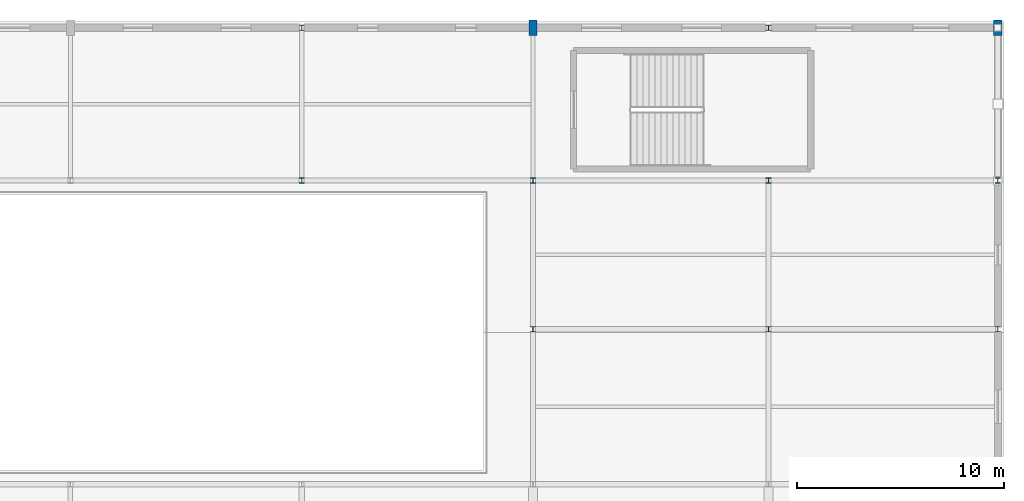
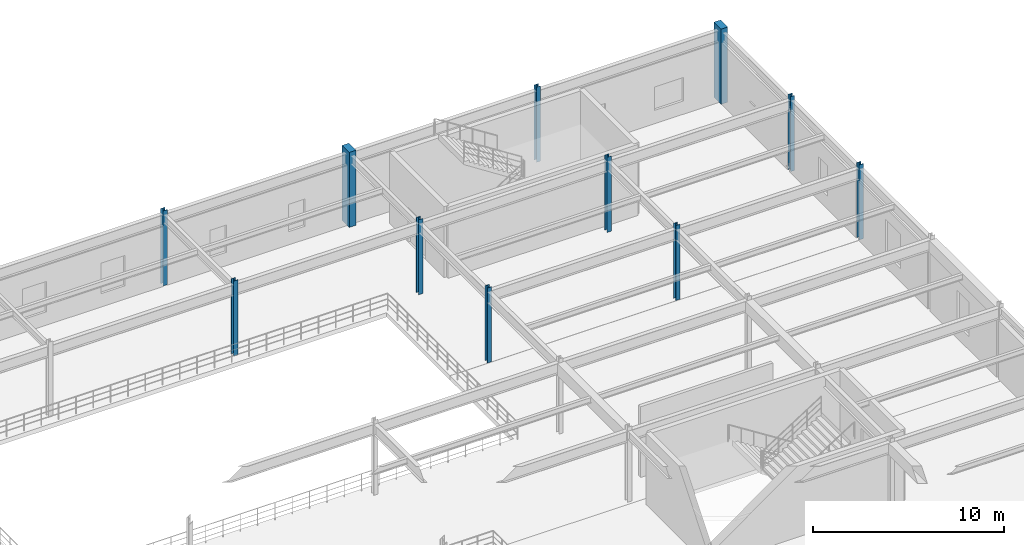
# One storey, part 28 of 144: 11 columns.
"""IFC4 building model written with IfcOpenShell, lengths in metres."""

from ifc_helpers import new_model, si_unit, direction, frame, origin, origin_2d, place, context, subcontext, project, spatial, rectangle, i_section, extrude, material, material_profile, profile_set, type_object, element, save


model = new_model("IFC4")

# Units and contexts
model_context = context("Model", 3, precision=1e-05, world=origin(), true_north=direction((0.0, 1.0)))
body_context = subcontext(model_context, "Body", "Model", "MODEL_VIEW")
ifc_project = project(units=[si_unit("LENGTHUNIT", "METRE"), si_unit("AREAUNIT", "SQUARE_METRE"), si_unit("VOLUMEUNIT", "CUBIC_METRE"), si_unit("PLANEANGLEUNIT", "RADIAN"), si_unit("MASSUNIT", "GRAM", prefix="KILO")], contexts=[model_context])

# Site, building, storey
site_placement = place(None, origin())
site = spatial("IfcSite", under=ifc_project, at=site_placement, CompositionType="ELEMENT")
building_placement = place(site_placement, origin())
building = spatial("IfcBuilding", under=site, at=building_placement, Name="Cinderbank Siding Concert Hall", CompositionType="ELEMENT")
storey_placement = place(building_placement, frame((0.0, 0.0, 5.39990234375)))
storey = spatial("IfcBuildingStorey", under=building, at=storey_placement, Name="L02", CompositionType="ELEMENT", Elevation=5.39990234375)

# Columns
ifc_material_1 = material(Name="Structural steel AS/NZS 3679.1 Grade 350 (340 MPa)", Category="steel")
ifc_material_profile_1 = material_profile(ifc_material_1, i_section(OverallWidth=0.256103515625, OverallDepth=0.260009765625, WebThickness=0.010498046875, FlangeThickness=0.017333984375, at=origin_2d()), Name="250UC89.5", Category="LoadBearing")
ifc_profile_set_1 = profile_set([ifc_material_profile_1], Name="Structural steel AS/NZS 3679.1 Grade 350 (340 MPa)")
column_type_1 = type_object("IfcColumnType", Name="C-UC250H 250UC89.5", PredefinedType="COLUMN", material=ifc_profile_set_1)
for number, where, z_axis, x_axis, name in (
    (1, (139.199951171875, 110.5, 0.0), (0.0, 0.0, 1.0), (1.0, 0.0, 0.0), "L02 Column COL-V3-3-4"),
    (2, (139.199951171875, 117.89990234375, 0.0), (0.0, 0.0, 1.0), (1.0, 0.0, 0.0), "L02 Column COL-V3-3-5"),
    (3, (150.39990234375, 103.300048828125, 0.0), (0.0, 0.0, 1.0), (1.0, 0.0, 0.0), "L02 Column COL-V3-4-3"),
    (4, (150.39990234375, 110.5, 0.0), (0.0, 0.0, 1.0), (1.0, 0.0, 0.0), "L02 Column COL-V3-4-4"),
    (5, (161.800048828125, 103.300048828125, 0.0), (0.0, 0.0, 1.0), (1.0, 0.0, 0.0), "L02 Column COL-V3-5-3"),
    (6, (161.800048828125, 110.5, 0.0), (0.0, 0.0, 1.0), (1.0, 0.0, 0.0), "L02 Column COL-V3-5-4"),
    (7, (161.800048828125, 117.89990234375, 0.0), (0.0, 0.0, 1.0), (1.0, 0.0, 0.0), "L02 Column COL-V3-5-5"),
    (8, (172.89990234375, 103.300048828125, 0.0), (0.0, 0.0, 1.0), (1.0, 0.0, 0.0), "L02 Column COL-V3-6-3"),
    (9, (172.89990234375, 110.5, 0.0), (0.0, 0.0, 1.0), (1.0, 0.0, 0.0), "L02 Column COL-V3-6-4"),
):
    element("IfcColumn", number, at=place(storey_placement, frame(where, z_axis=z_axis, x_axis=x_axis)), inside=storey, type_object=column_type_1, Name=name, PredefinedType="COLUMN", context=body_context, shape_type="SweptSolid", body=[
        extrude(i_section(OverallWidth=0.256103515625, OverallDepth=0.260009765625, WebThickness=0.010498046875, FlangeThickness=0.017333984375, at=origin_2d()), origin(), (0.0, 0.0, 1.0), 4.800048828125),
    ])
ifc_material_2 = material(Name="Reinforced concrete AS 3600 N50 (50 MPa)", Category="concrete")
ifc_material_profile_2 = material_profile(ifc_material_2, rectangle(XDim=0.39990234375, YDim=0.75, at=origin_2d()), Name="RC-PIER-400x750", Category="LoadBearing")
ifc_profile_set_2 = profile_set([ifc_material_profile_2], Name="Reinforced concrete AS 3600 N50 (50 MPa)")
column_type_2 = type_object("IfcColumnType", Name="PL-RC750 RC-PIER-400x750", PredefinedType="PILASTER", material=ifc_profile_set_2)
for number, where, z_axis, x_axis, name in (
    (10, (150.39990234375, 117.89990234375, 0.0), (0.0, 0.0, 1.0), (1.0, 0.0, 0.0), "L02 Column COL-V3-4-5"),
    (11, (172.89990234375, 117.89990234375, 0.0), (0.0, 0.0, 1.0), (1.0, 0.0, 0.0), "L02 Column COL-V3-6-5"),
):
    element("IfcColumn", number, at=place(storey_placement, frame(where, z_axis=z_axis, x_axis=x_axis)), inside=storey, type_object=column_type_2, Name=name, PredefinedType="PILASTER", context=body_context, shape_type="SweptSolid", body=[
        extrude(rectangle(XDim=0.39990234375, YDim=0.75, at=origin_2d()), origin(), (0.0, 0.0, 1.0), 4.800048828125),
    ])

save(model, "model.ifc")
